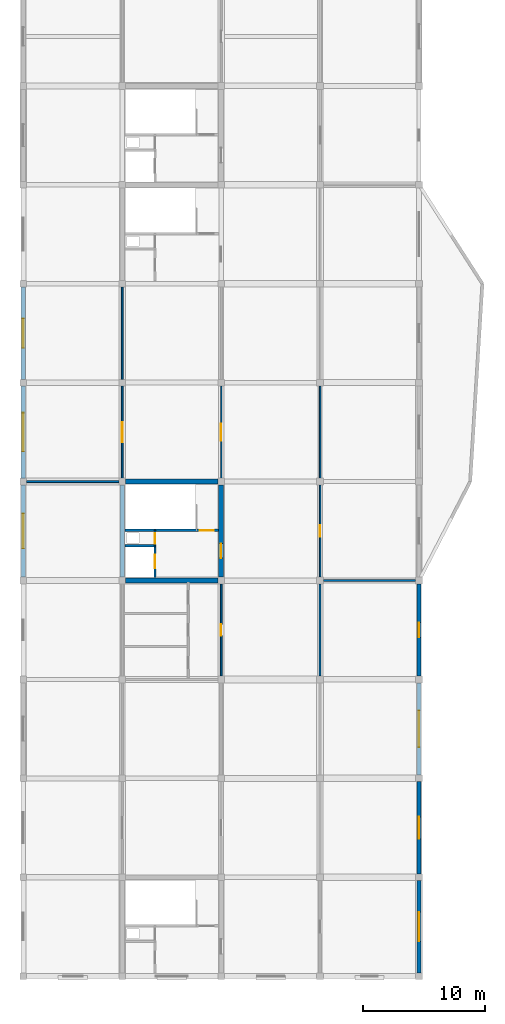
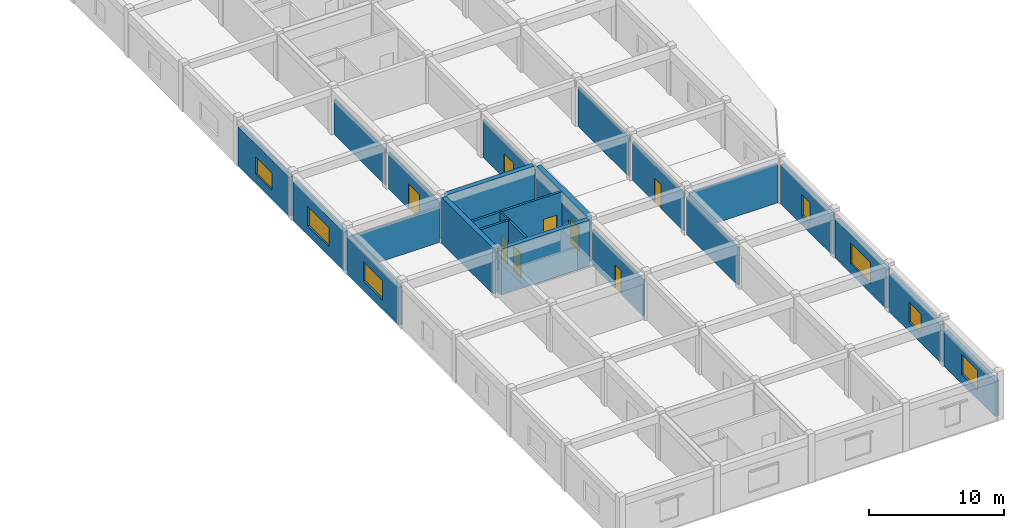
# One storey, part 4 of 7: 24 walls, 8 doors, 7 windows, 15 openings.
"""IFC4 building model written with IfcOpenShell, lengths in metres."""

import ifcopenshell
import ifcopenshell.guid

model = None  # the IFC model being written
_history = None  # IfcOwnerHistory: only IFC2X3 demands one
_inside = {}  # id of a spatial element -> (the spatial element, [elements in it])
_under = {}  # id of a project, library or spatial element -> (it, [spatial elements below it])
_declared = {}  # id of a project -> (the project, [libraries it declares])
_typed = {}  # id of a type object -> (the type object, [elements of that type])
_made_of = {}  # id of a material, layer set ... -> (it, [elements and type objects made of it])


def new_model(schema):
    """Start an empty IFC model of exactly this schema.

    Asked for "IFC4X3", IfcOpenShell would pick the latest addendum, in which some entities
    have other attributes; the version numbers below select the first issue.
    IFC2X3 requires an IfcOwnerHistory on every rooted entity: one is made here for all.
    """
    global model, _history
    if schema == "IFC4X3":
        model = ifcopenshell.file(schema_version=(4, 3, 0, 0))
    else:
        model = ifcopenshell.file(schema=schema)
    _inside.clear()
    _under.clear()
    _declared.clear()
    _typed.clear()
    _made_of.clear()
    _history = None
    if model.schema == "IFC2X3":
        org = make("IfcOrganization", Name="unknown")
        user = make(
            "IfcPersonAndOrganization",
            ThePerson=make("IfcPerson", FamilyName="unknown"),
            TheOrganization=org,
        )
        app = make(
            "IfcApplication",
            ApplicationDeveloper=org,
            Version="unknown",
            ApplicationFullName="unknown",
            ApplicationIdentifier="unknown",
        )
        _history = make(
            "IfcOwnerHistory",
            OwningUser=user,
            OwningApplication=app,
            ChangeAction="ADDED",
            CreationDate=0,
        )
    return model


def make(cls, **values):
    """One entity of the class cls with the attributes given. An attribute that is None is left unset."""
    return model.create_entity(
        cls, **{name: value for name, value in values.items() if value is not None}
    )


def rooted(cls, **values):
    """An entity with a GlobalId (a new one), such as an element, a storey or a relation."""
    return make(cls, GlobalId=ifcopenshell.guid.new(), OwnerHistory=_history, **values)


def si_unit(unit_type, name, prefix=None):
    """IfcSIUnit, for example si_unit("LENGTHUNIT", "METRE", prefix="MILLI")."""
    return make("IfcSIUnit", UnitType=unit_type, Prefix=prefix, Name=name)


def assignment(units):
    """IfcUnitAssignment: the units of a project."""
    return None if units is None else make("IfcUnitAssignment", Units=units)


def point(xyz):
    """IfcCartesianPoint."""
    return None if xyz is None else make("IfcCartesianPoint", Coordinates=xyz)


def direction(xyz):
    """IfcDirection."""
    return None if xyz is None else make("IfcDirection", DirectionRatios=xyz)


def frame(location, z_axis=None, x_axis=None):
    """IfcAxis2Placement3D, a coordinate frame: its origin and axes. An axis left out is left unset."""
    return make(
        "IfcAxis2Placement3D",
        Location=point(location),
        Axis=direction(z_axis),
        RefDirection=direction(x_axis),
    )


def frame_2d(location, x_axis=None):
    """IfcAxis2Placement2D, a coordinate frame in the plane: its origin and x axis."""
    return make(
        "IfcAxis2Placement2D", Location=point(location), RefDirection=direction(x_axis)
    )


def origin():
    """The frame at (0, 0, 0) with its axes left unset."""
    return frame((0.0, 0.0, 0.0))


def place(relative_to, where):
    """IfcLocalPlacement: puts the frame where relative to a parent placement (None: the world)."""
    return make(
        "IfcLocalPlacement", PlacementRelTo=relative_to, RelativePlacement=where
    )


def context(
    kind, dimensions, precision=None, world=None, true_north=None, identifier=None
):
    """IfcGeometricRepresentationContext, for example the 3D "Model" context."""
    return make(
        "IfcGeometricRepresentationContext",
        ContextIdentifier=identifier,
        ContextType=kind,
        CoordinateSpaceDimension=dimensions,
        Precision=precision,
        WorldCoordinateSystem=world,
        TrueNorth=true_north,
    )


def subcontext(parent, identifier, kind, view, scale=None):
    """IfcGeometricRepresentationSubContext, for example "Body" below "Model"."""
    return make(
        "IfcGeometricRepresentationSubContext",
        ContextIdentifier=identifier,
        ContextType=kind,
        ParentContext=parent,
        TargetScale=scale,
        TargetView=view,
    )


def project(units=None, contexts=None):
    """IfcProject with its units and contexts."""
    return rooted(
        "IfcProject",
        Name="project",
        RepresentationContexts=contexts,
        UnitsInContext=assignment(units),
    )


def spatial(cls, under=None, at=None, **own):
    """A site, building, storey or space (cls), placed at a placement, below another one or the project."""
    s = rooted(cls, ObjectPlacement=at, **own)
    if under is not None:
        _under.setdefault(under.id(), (under, []))[1].append(s)
    return s


def profile(cls, at=None, kind="AREA", **sizes):
    """A parametric profile (cls). Its sizes go by their IFC names, for example OverallWidth=200.0."""
    return make(cls, ProfileType=kind, Position=at, **sizes)


def rectangle(**sizes):
    """IfcRectangleProfileDef."""
    return profile("IfcRectangleProfileDef", **sizes)


def extrude(swept, where, along, depth):
    """IfcExtrudedAreaSolid: the profile swept, set in the frame where, extruded along a direction by depth."""
    return make(
        "IfcExtrudedAreaSolid",
        SweptArea=swept,
        Position=where,
        ExtrudedDirection=direction(along),
        Depth=depth,
    )


def shape(context_of_items, identifier, shape_type, items):
    """IfcShapeRepresentation: the items that make up one representation, for example the "Body"."""
    return make(
        "IfcShapeRepresentation",
        ContextOfItems=context_of_items,
        RepresentationIdentifier=identifier,
        RepresentationType=shape_type,
        Items=items,
    )


def material(Name=None, Category=None):
    """IfcMaterial."""
    return make("IfcMaterial", Name=Name, Category=Category)


def layer(
    of_material, thickness, ventilated=None, Name=None, Category=None, Priority=None
):
    """IfcMaterialLayer: one layer of a wall or slab, of a material (None: an air gap)."""
    return make(
        "IfcMaterialLayer",
        Material=of_material,
        LayerThickness=thickness,
        IsVentilated=ventilated,
        Name=Name,
        Category=Category,
        Priority=Priority,
    )


def layer_set(layers, Name=None):
    """IfcMaterialLayerSet."""
    return make("IfcMaterialLayerSet", MaterialLayers=layers, LayerSetName=Name)


def made_of(thing, what):
    """Note that an element or type object is made of a material, layer set ...; save() writes the relation."""
    if what is not None:
        _made_of.setdefault(what.id(), (what, []))[1].append(thing)
    return thing


def type_object(cls, material=None, **own):
    """A type object (cls), such as IfcWallType, which elements share."""
    return made_of(rooted(cls, **own), material)


def element(
    cls,
    number,
    at=None,
    inside=None,
    cuts=None,
    type_object=None,
    material=None,
    context=None,
    identifier="Body",
    shape_type=None,
    held_by="IfcProductDefinitionShape",
    body=None,
    shapes=None,
    **own,
):
    """One element of the class cls, such as IfcWall. Its Tag is "e" and its number.

    at: its placement. inside: the storey or other place that contains it. cuts: it is an
    opening in that element (IfcRelVoidsElement). A single representation is given by context,
    identifier, shape_type and body (its items); several are given by shapes. held_by: the class
    of the entity that holds the representations. save() writes the other relations.
    """
    e = rooted(cls, Tag="e%d" % number, ObjectPlacement=at, **own)
    if body is not None:
        shapes = [shape(context, identifier, shape_type, body)]
    if shapes is not None:
        e.Representation = make(held_by, Representations=shapes)
    if inside is not None:
        _inside.setdefault(inside.id(), (inside, []))[1].append(e)
    if cuts is not None:
        rooted(
            "IfcRelVoidsElement", RelatingBuildingElement=cuts, RelatedOpeningElement=e
        )
    if type_object is not None:
        _typed.setdefault(type_object.id(), (type_object, []))[1].append(e)
    return made_of(e, material)


def fill(opening, filler):
    """IfcRelFillsElement: the door or window that sits in an opening."""
    return rooted(
        "IfcRelFillsElement",
        RelatingOpeningElement=opening,
        RelatedBuildingElement=filler,
    )


def aggregate(whole, parts):
    """IfcRelAggregates: a whole, such as a stair, and the parts it consists of."""
    return rooted("IfcRelAggregates", RelatingObject=whole, RelatedObjects=parts)


def save(model, path):
    """Write the relations noted so far, then the file.

    IfcRelAggregates (storeys below a building ...), IfcRelContainedInSpatialStructure (elements
    in a storey), IfcRelDefinesByType, IfcRelAssociatesMaterial and IfcRelDeclares: one each for
    every whole, place, type object, material and project.
    """
    for whole, parts in _under.values():
        aggregate(whole, parts)
    for where, things in _inside.values():
        rooted(
            "IfcRelContainedInSpatialStructure",
            RelatedElements=things,
            RelatingStructure=where,
        )
    for kind, things in _typed.values():
        rooted("IfcRelDefinesByType", RelatedObjects=things, RelatingType=kind)
    for what, things in _made_of.values():
        rooted("IfcRelAssociatesMaterial", RelatedObjects=things, RelatingMaterial=what)
    for by, libraries in _declared.values():
        rooted("IfcRelDeclares", RelatingContext=by, RelatedDefinitions=libraries)
    model.write(path)


model = new_model("IFC4")

# Units and contexts
model_context = context("Model", 3, precision=1e-05, world=origin(), true_north=direction((0.0, 1.0)))
body_context = subcontext(model_context, "Body", "Model", "MODEL_VIEW")
ifc_project = project(units=[si_unit("LENGTHUNIT", "METRE"), si_unit("AREAUNIT", "SQUARE_METRE"), si_unit("VOLUMEUNIT", "CUBIC_METRE"), si_unit("PLANEANGLEUNIT", "RADIAN"), si_unit("MASSUNIT", "GRAM", prefix="KILO")], contexts=[model_context])

# Site, building, storey
site_placement = place(None, origin())
site = spatial("IfcSite", under=ifc_project, at=site_placement, CompositionType="ELEMENT")
building_placement = place(site_placement, origin())
building = spatial("IfcBuilding", under=site, at=building_placement, Name="Vaudrelin Polytechnic", CompositionType="ELEMENT")
storey_placement = place(building_placement, frame((0.0, 0.0, 31.7900390625)))
storey = spatial("IfcBuildingStorey", under=building, at=storey_placement, Name="L07", CompositionType="ELEMENT", Elevation=31.7900390625)

# Wall, opening, window
ifc_material_1 = material(Name="Precast concrete 35 MPa with terracotta baguette screen", Category="masonry")
ifc_layer_1 = layer(ifc_material_1, 0.35009765625)
ifc_layer_set_1 = layer_set([ifc_layer_1], Name="Precast concrete 35 MPa with terracotta baguette screen")
wall_type_1 = type_object("IfcWallType", Name="WAL-EW-TERR350", PredefinedType="STANDARD", material=ifc_layer_set_1)
wall_1_placement = place(storey_placement, frame((170.10009765625, 32.673095703125, 0.0), z_axis=(0.0, 0.0, 1.0), x_axis=(0.0, 1.0, 0.0)))
wall_1 = element("IfcWall", 1, at=wall_1_placement, inside=storey, type_object=wall_type_1, Name="Exterior wall L07 E_V4_00", PredefinedType="STANDARD", context=body_context, shape_type="SweptSolid", body=[
    extrude(rectangle(XDim=7.553955078125, YDim=0.35009765625, at=frame_2d((3.77685546875, 0.0))), origin(), (0.0, 0.0, 1.0), 3.2119140625),
])
opening_1_placement = place(wall_1_placement, frame((2.576904296875, 0.0, 0.85009765625)))
opening_1 = element("IfcOpeningElement", 2, at=opening_1_placement, cuts=wall_1, Name="Opening W-L07-E-V4-01", PredefinedType="OPENING", context=body_context, shape_type="SweptSolid", body=[
    extrude(rectangle(XDim=2.39990234375, YDim=1.800048828125, at=frame_2d((1.199951171875, 0.89990234375))), frame((0.0, 0.18505859375, 0.0), z_axis=(0.0, -1.0, 0.0), x_axis=(1.0, 0.0, 0.0)), (0.0, 0.0, 1.0), 0.3701171875),
])
ifc_material_2 = material(Name="Thermally broken aluminium frame with triple low-e glazing", Category="aluminium")
window_type_1 = type_object("IfcWindowType", Name="WIN-WN-01", PartitioningType="SINGLE_PANEL", PredefinedType="WINDOW", material=ifc_material_2)
window_1_placement = place(opening_1_placement, origin())
window_1 = element("IfcWindow", 3, at=window_1_placement, inside=storey, type_object=window_type_1, Name="Facade window L07-E_V4_00", OverallHeight=1.800048828125, OverallWidth=2.39990234375, PartitioningType="SINGLE_PANEL", PredefinedType="WINDOW", context=body_context, shape_type="SweptSolid", body=[
    extrude(rectangle(XDim=2.39990234375, YDim=1.800048828125, at=frame_2d((1.199951171875, 0.89990234375))), frame((0.0, 0.030029296875, 0.0), z_axis=(0.0, -1.0, 0.0), x_axis=(1.0, 0.0, 0.0)), (0.0, 0.0, 1.0), 0.06005859375),
])
fill(opening_1, window_1)

wall_2_placement = place(storey_placement, frame((170.10009765625, 40.77294921875, 0.0), z_axis=(0.0, 0.0, 1.0), x_axis=(0.0, 1.0, 0.0)))
wall_2 = element("IfcWall", 4, at=wall_2_placement, inside=storey, type_object=wall_type_1, Name="Exterior wall L07 E_V4_01", PredefinedType="STANDARD", context=body_context, shape_type="SweptSolid", body=[
    extrude(rectangle(XDim=7.553955078125, YDim=0.35009765625, at=frame_2d((3.77685546875, 0.0))), origin(), (0.0, 0.0, 1.0), 3.411865234375),
])
opening_2_placement = place(wall_2_placement, frame((2.876953125, 0.0, 0.85009765625)))
opening_2 = element("IfcOpeningElement", 5, at=opening_2_placement, cuts=wall_2, Name="Opening W-L07-E-V4-02", PredefinedType="OPENING", context=body_context, shape_type="SweptSolid", body=[
    extrude(rectangle(XDim=1.800048828125, YDim=1.800048828125, at=frame_2d((0.89990234375, 0.89990234375))), frame((0.0, 0.18505859375, 0.0), z_axis=(0.0, -1.0, 0.0), x_axis=(1.0, 0.0, 0.0)), (0.0, 0.0, 1.0), 0.3701171875),
])
window_type_2 = type_object("IfcWindowType", Name="WIN-WN-02", PartitioningType="SINGLE_PANEL", PredefinedType="WINDOW", material=ifc_material_2)
window_2_placement = place(opening_2_placement, origin())
window_2 = element("IfcWindow", 6, at=window_2_placement, inside=storey, type_object=window_type_2, Name="Facade window L07-E_V4_01", OverallHeight=1.800048828125, OverallWidth=1.800048828125, PartitioningType="SINGLE_PANEL", PredefinedType="WINDOW", context=body_context, shape_type="SweptSolid", body=[
    extrude(rectangle(XDim=1.800048828125, YDim=1.800048828125, at=frame_2d((0.89990234375, 0.89990234375))), frame((0.0, 0.030029296875, 0.0), z_axis=(0.0, -1.0, 0.0), x_axis=(1.0, 0.0, 0.0)), (0.0, 0.0, 1.0), 0.06005859375),
])
fill(opening_2, window_2)

wall_3_placement = place(storey_placement, frame((170.10009765625, 48.873046875, 0.0), z_axis=(0.0, 0.0, 1.0), x_axis=(0.0, 1.0, 0.0)))
wall_3 = element("IfcWall", 7, at=wall_3_placement, inside=storey, type_object=wall_type_1, Name="Exterior wall L07 E_V4_02", PredefinedType="STANDARD", context=body_context, shape_type="SweptSolid", body=[
    extrude(rectangle(XDim=7.553955078125, YDim=0.35009765625, at=frame_2d((3.77685546875, 0.0))), origin(), (0.0, 0.0, 1.0), 3.511962890625),
])
opening_3_placement = place(wall_3_placement, frame((2.277099609375, 0.0, 0.85009765625)))
opening_3 = element("IfcOpeningElement", 8, at=opening_3_placement, cuts=wall_3, Name="Opening W-L07-E-V4-03", PredefinedType="OPENING", context=body_context, shape_type="SweptSolid", body=[
    extrude(rectangle(XDim=3.0, YDim=1.89990234375, at=frame_2d((1.5, 0.949951171875))), frame((0.0, 0.18505859375, 0.0), z_axis=(0.0, -1.0, 0.0), x_axis=(1.0, 0.0, 0.0)), (0.0, 0.0, 1.0), 0.3701171875),
])
window_type_3 = type_object("IfcWindowType", Name="WIN-WN-03", PartitioningType="SINGLE_PANEL", PredefinedType="WINDOW", material=ifc_material_2)
window_3_placement = place(opening_3_placement, origin())
window_3 = element("IfcWindow", 9, at=window_3_placement, inside=storey, type_object=window_type_3, Name="Facade window L07-E_V4_02", OverallHeight=1.89990234375, OverallWidth=3.0, PartitioningType="SINGLE_PANEL", PredefinedType="WINDOW", context=body_context, shape_type="SweptSolid", body=[
    extrude(rectangle(XDim=3.0, YDim=1.89990234375, at=frame_2d((1.5, 0.949951171875))), frame((0.0, 0.030029296875, 0.0), z_axis=(0.0, -1.0, 0.0), x_axis=(1.0, 0.0, 0.0)), (0.0, 0.0, 1.0), 0.06005859375),
])
fill(opening_3, window_3)

wall_4_placement = place(storey_placement, frame((170.10009765625, 56.972900390625, 0.0), z_axis=(0.0, 0.0, 1.0), x_axis=(0.0, 1.0, 0.0)))
wall_4 = element("IfcWall", 10, at=wall_4_placement, inside=storey, type_object=wall_type_1, Name="Exterior wall L07 E_V4_03", PredefinedType="STANDARD", context=body_context, shape_type="SweptSolid", body=[
    extrude(rectangle(XDim=7.55419921875, YDim=0.35009765625, at=frame_2d((3.777099609375, 0.0))), origin(), (0.0, 0.0, 1.0), 3.511962890625),
])
opening_4_placement = place(wall_4_placement, frame((3.177001953125, 0.0, 0.85009765625)))
opening_4 = element("IfcOpeningElement", 11, at=opening_4_placement, cuts=wall_4, Name="Opening W-L07-E-V4-04", PredefinedType="OPENING", context=body_context, shape_type="SweptSolid", body=[
    extrude(rectangle(XDim=1.199951171875, YDim=1.89990234375, at=frame_2d((0.60009765625, 0.949951171875))), frame((0.0, 0.18505859375, 0.0), z_axis=(0.0, -1.0, 0.0), x_axis=(1.0, 0.0, 0.0)), (0.0, 0.0, 1.0), 0.3701171875),
])
window_type_4 = type_object("IfcWindowType", Name="WIN-WN-04", PartitioningType="SINGLE_PANEL", PredefinedType="WINDOW", material=ifc_material_2)
window_4_placement = place(opening_4_placement, origin())
window_4 = element("IfcWindow", 12, at=window_4_placement, inside=storey, type_object=window_type_4, Name="Facade window L07-E_V4_03", OverallHeight=1.89990234375, OverallWidth=1.199951171875, PartitioningType="SINGLE_PANEL", PredefinedType="WINDOW", context=body_context, shape_type="SweptSolid", body=[
    extrude(rectangle(XDim=1.199951171875, YDim=1.89990234375, at=frame_2d((0.60009765625, 0.949951171875))), frame((0.0, 0.030029296875, 0.0), z_axis=(0.0, -1.0, 0.0), x_axis=(1.0, 0.0, 0.0)), (0.0, 0.0, 1.0), 0.06005859375),
])
fill(opening_4, window_4)

wall_5_placement = place(storey_placement, frame((137.699951171875, 65.072998046875, 0.0), z_axis=(0.0, 0.0, 1.0), x_axis=(0.0, 1.0, 0.0)))
wall_5 = element("IfcWall", 13, at=wall_5_placement, inside=storey, type_object=wall_type_1, Name="Exterior wall L07 W_V4_04", PredefinedType="STANDARD", context=body_context, shape_type="SweptSolid", body=[
    extrude(rectangle(XDim=7.553955078125, YDim=0.35009765625, at=frame_2d((3.77685546875, 0.0))), origin(), (0.0, 0.0, 1.0), 3.411865234375),
])
opening_5_placement = place(wall_5_placement, frame((2.35205078125, 0.0, 0.85009765625)))
opening_5 = element("IfcOpeningElement", 14, at=opening_5_placement, cuts=wall_5, Name="Opening W-L07-W-V4-05", PredefinedType="OPENING", context=body_context, shape_type="SweptSolid", body=[
    extrude(rectangle(XDim=2.85009765625, YDim=1.75, at=frame_2d((1.425048828125, 0.875))), frame((0.0, 0.18505859375, 0.0), z_axis=(0.0, -1.0, 0.0), x_axis=(1.0, 0.0, 0.0)), (0.0, 0.0, 1.0), 0.3701171875),
])
window_type_5 = type_object("IfcWindowType", Name="WIN-WN-19", PartitioningType="SINGLE_PANEL", PredefinedType="WINDOW", material=ifc_material_2)
window_5_placement = place(opening_5_placement, origin())
window_5 = element("IfcWindow", 15, at=window_5_placement, inside=storey, type_object=window_type_5, Name="Facade window L07-W_V4_04", OverallHeight=1.75, OverallWidth=2.85009765625, PartitioningType="SINGLE_PANEL", PredefinedType="WINDOW", context=body_context, shape_type="SweptSolid", body=[
    extrude(rectangle(XDim=2.85009765625, YDim=1.75, at=frame_2d((1.425048828125, 0.875))), frame((0.0, 0.030029296875, 0.0), z_axis=(0.0, -1.0, 0.0), x_axis=(1.0, 0.0, 0.0)), (0.0, 0.0, 1.0), 0.06005859375),
])
fill(opening_5, window_5)

wall_6_placement = place(storey_placement, frame((137.699951171875, 73.173095703125, 0.0), z_axis=(0.0, 0.0, 1.0), x_axis=(0.0, 1.0, 0.0)))
wall_6 = element("IfcWall", 16, at=wall_6_placement, inside=storey, type_object=wall_type_1, Name="Exterior wall L07 W_V4_05", PredefinedType="STANDARD", context=body_context, shape_type="SweptSolid", body=[
    extrude(rectangle(XDim=7.553955078125, YDim=0.35009765625, at=frame_2d((3.77685546875, 0.0))), origin(), (0.0, 0.0, 1.0), 3.511962890625),
])
opening_6_placement = place(wall_6_placement, frame((2.201904296875, 0.0, 0.85009765625)))
opening_6 = element("IfcOpeningElement", 17, at=opening_6_placement, cuts=wall_6, Name="Opening W-L07-W-V4-06", PredefinedType="OPENING", context=body_context, shape_type="SweptSolid", body=[
    extrude(rectangle(XDim=3.14990234375, YDim=1.75, at=frame_2d((1.574951171875, 0.875))), frame((0.0, 0.18505859375, 0.0), z_axis=(0.0, -1.0, 0.0), x_axis=(1.0, 0.0, 0.0)), (0.0, 0.0, 1.0), 0.3701171875),
])
window_type_6 = type_object("IfcWindowType", Name="WIN-WN-20", PartitioningType="SINGLE_PANEL", PredefinedType="WINDOW", material=ifc_material_2)
window_6_placement = place(opening_6_placement, origin())
window_6 = element("IfcWindow", 18, at=window_6_placement, inside=storey, type_object=window_type_6, Name="Facade window L07-W_V4_05", OverallHeight=1.75, OverallWidth=3.14990234375, PartitioningType="SINGLE_PANEL", PredefinedType="WINDOW", context=body_context, shape_type="SweptSolid", body=[
    extrude(rectangle(XDim=3.14990234375, YDim=1.75, at=frame_2d((1.574951171875, 0.875))), frame((0.0, 0.030029296875, 0.0), z_axis=(0.0, -1.0, 0.0), x_axis=(1.0, 0.0, 0.0)), (0.0, 0.0, 1.0), 0.06005859375),
])
fill(opening_6, window_6)

wall_7_placement = place(storey_placement, frame((137.699951171875, 81.27294921875, 0.0), z_axis=(0.0, 0.0, 1.0), x_axis=(0.0, 1.0, 0.0)))
wall_7 = element("IfcWall", 19, at=wall_7_placement, inside=storey, type_object=wall_type_1, Name="Exterior wall L07 W_V4_06", PredefinedType="STANDARD", context=body_context, shape_type="SweptSolid", body=[
    extrude(rectangle(XDim=7.553955078125, YDim=0.35009765625, at=frame_2d((3.77685546875, 0.0))), origin(), (0.0, 0.0, 1.0), 3.56201171875),
])
opening_7_placement = place(wall_7_placement, frame((2.576904296875, 0.0, 0.85009765625)))
opening_7 = element("IfcOpeningElement", 20, at=opening_7_placement, cuts=wall_7, Name="Opening W-L07-W-V4-07", PredefinedType="OPENING", context=body_context, shape_type="SweptSolid", body=[
    extrude(rectangle(XDim=2.39990234375, YDim=1.550048828125, at=frame_2d((1.199951171875, 0.77490234375))), frame((0.0, 0.18505859375, 0.0), z_axis=(0.0, -1.0, 0.0), x_axis=(1.0, 0.0, 0.0)), (0.0, 0.0, 1.0), 0.3701171875),
])
window_type_7 = type_object("IfcWindowType", Name="WIN-WN-21", PartitioningType="SINGLE_PANEL", PredefinedType="WINDOW", material=ifc_material_2)
window_7_placement = place(opening_7_placement, origin())
window_7 = element("IfcWindow", 21, at=window_7_placement, inside=storey, type_object=window_type_7, Name="Facade window L07-W_V4_06", OverallHeight=1.550048828125, OverallWidth=2.39990234375, PartitioningType="SINGLE_PANEL", PredefinedType="WINDOW", context=body_context, shape_type="SweptSolid", body=[
    extrude(rectangle(XDim=2.39990234375, YDim=1.550048828125, at=frame_2d((1.199951171875, 0.77490234375))), frame((0.0, 0.030029296875, 0.0), z_axis=(0.0, -1.0, 0.0), x_axis=(1.0, 0.0, 0.0)), (0.0, 0.0, 1.0), 0.06005859375),
])
fill(opening_7, window_7)

# Walls
ifc_material_3 = material(Name="Acoustic double-stud gypsum & mineral-wool partition", Category="gypsum")
ifc_layer_2 = layer(ifc_material_3, 0.179931640625)
ifc_layer_set_2 = layer_set([ifc_layer_2], Name="Acoustic double-stud gypsum & mineral-wool partition")
wall_type_2 = type_object("IfcWallType", Name="WAL-PW-AC180", PredefinedType="PARTITIONING", material=ifc_layer_set_2)
wall_8_placement = place(storey_placement, frame((162.0, 56.972900390625, 0.0), z_axis=(0.0, 0.0, 1.0), x_axis=(0.0, 1.0, 0.0)))
element("IfcWall", 22, at=wall_8_placement, inside=storey, type_object=wall_type_2, Name="Partition L07-007 W", PredefinedType="PARTITIONING", context=body_context, shape_type="SweptSolid", body=[
    extrude(rectangle(XDim=7.55419921875, YDim=0.179931640625, at=frame_2d((3.777099609375, 0.0))), origin(), (0.0, 0.0, 1.0), 3.411865234375),
])
wall_9_placement = place(storey_placement, frame((162.27294921875, 64.800048828125, 0.0), z_axis=(0.0, 0.0, 1.0), x_axis=(1.0, 0.0, 0.0)))
element("IfcWall", 23, at=wall_9_placement, inside=storey, type_object=wall_type_2, Name="Partition L07-007 N", PredefinedType="PARTITIONING", context=body_context, shape_type="SweptSolid", body=[
    extrude(rectangle(XDim=7.553955078125, YDim=0.179931640625, at=frame_2d((3.77685546875, 0.0))), origin(), (0.0, 0.0, 1.0), 3.511962890625),
])

# Wall, opening, door
ifc_material_4 = material(Name="Fire-rated steel-stud gypsum compartment wall", Category="steel")
ifc_layer_3 = layer(ifc_material_4, 0.14990234375)
ifc_layer_set_3 = layer_set([ifc_layer_3], Name="Fire-rated steel-stud gypsum compartment wall")
wall_type_3 = type_object("IfcWallType", Name="WAL-PW-FIRE60", PredefinedType="PARTITIONING", material=ifc_layer_set_3)
wall_10_placement = place(storey_placement, frame((148.47998046875, 67.64990234375, 0.0), z_axis=(0.0, 0.0, 1.0), x_axis=(0.0, 1.0, 0.0)))
wall_10 = element("IfcWall", 24, at=wall_10_placement, inside=storey, type_object=wall_type_3, Name="Core C7 riser enclosure wall L07", PredefinedType="PARTITIONING", context=body_context, shape_type="SweptSolid", body=[
    extrude(rectangle(XDim=1.260009765625, YDim=0.14990234375, at=frame_2d((0.6298828125, 0.0))), origin(), (0.0, 0.0, 1.0), 4.161865234375),
])
opening_8_placement = place(wall_10_placement, frame((0.139892578125, 0.0, 0.0)))
opening_8 = element("IfcOpeningElement", 25, at=opening_8_placement, cuts=wall_10, Name="Opening D-L07-137", PredefinedType="OPENING", context=body_context, shape_type="SweptSolid", body=[
    extrude(rectangle(XDim=0.89990234375, YDim=2.14990234375, at=frame_2d((0.449951171875, 1.074951171875))), frame((0.0, 0.0849609375, 0.0), z_axis=(0.0, -1.0, 0.0), x_axis=(1.0, 0.0, 0.0)), (0.0, 0.0, 1.0), 0.169921875),
])
ifc_material_5 = material(Name="Pressed galvanised steel acoustic leaf", Category="steel")
door_type_1 = type_object("IfcDoorType", Name="DOR-ID-RSR1", OperationType="NOTDEFINED", PredefinedType="DOOR", material=ifc_material_5)
door_1_placement = place(opening_8_placement, origin())
door_1 = element("IfcDoor", 26, at=door_1_placement, inside=storey, type_object=door_type_1, Name="Core C7 riser access door L07", OperationType="SINGLE_SWING_RIGHT", OverallHeight=2.14990234375, OverallWidth=0.89990234375, PredefinedType="DOOR", context=body_context, shape_type="SweptSolid", body=[
    extrude(rectangle(XDim=0.89990234375, YDim=2.14990234375, at=frame_2d((0.449951171875, 1.074951171875))), frame((0.0, 0.02490234375, 0.0), z_axis=(0.0, -1.0, 0.0), x_axis=(1.0, 0.0, 0.0)), (0.0, 0.0, 1.0), 0.050048828125),
])
fill(opening_8, door_1)

# Wall
ifc_material_6 = material(Name="Moisture- and chemical-resistant laboratory partition", Category="gypsum")
ifc_layer_4 = layer(ifc_material_6, 0.159912109375)
ifc_layer_set_4 = layer_set([ifc_layer_4], Name="Moisture- and chemical-resistant laboratory partition")
wall_type_4 = type_object("IfcWallType", Name="WAL-PW-LAB160", PredefinedType="PARTITIONING", material=ifc_layer_set_4)
wall_11_placement = place(storey_placement, frame((137.972900390625, 72.89990234375, 0.0), z_axis=(0.0, 0.0, 1.0), x_axis=(1.0, 0.0, 0.0)))
element("IfcWall", 27, at=wall_11_placement, inside=storey, type_object=wall_type_4, Name="Partition L07-001 N", PredefinedType="PARTITIONING", context=body_context, shape_type="SweptSolid", body=[
    extrude(rectangle(XDim=7.55419921875, YDim=0.159912109375, at=frame_2d((3.777099609375, 0.0))), origin(), (0.0, 0.0, 1.0), 3.2119140625),
])

# Wall, opening, door
ifc_material_7 = material(Name="Acoustic steel-stud office & study room partition", Category="steel")
ifc_layer_5 = layer(ifc_material_7, 0.135009765625)
ifc_layer_set_5 = layer_set([ifc_layer_5], Name="Acoustic steel-stud office & study room partition")
wall_type_5 = type_object("IfcWallType", Name="WAL-PW-OFF135", PredefinedType="PARTITIONING", material=ifc_layer_set_5)
wall_12_placement = place(storey_placement, frame((162.0, 65.072998046875, 0.0), z_axis=(0.0, 0.0, 1.0), x_axis=(0.0, 1.0, 0.0)))
wall_12 = element("IfcWall", 28, at=wall_12_placement, inside=storey, type_object=wall_type_5, Name="Partition L07-008 W", PredefinedType="PARTITIONING", context=body_context, shape_type="SweptSolid", body=[
    extrude(rectangle(XDim=7.553955078125, YDim=0.135009765625, at=frame_2d((3.77685546875, 0.0))), origin(), (0.0, 0.0, 1.0), 3.511962890625),
])
opening_9_placement = place(wall_12_placement, frame((3.302001953125, 0.0, 0.0)))
opening_9 = element("IfcOpeningElement", 29, at=opening_9_placement, cuts=wall_12, Name="Opening D-L07-575", PredefinedType="OPENING", context=body_context, shape_type="SweptSolid", body=[
    extrude(rectangle(XDim=0.949951171875, YDim=2.14990234375, at=frame_2d((0.47509765625, 1.074951171875))), frame((0.0, 0.07763671875, 0.0), z_axis=(0.0, -1.0, 0.0), x_axis=(1.0, 0.0, 0.0)), (0.0, 0.0, 1.0), 0.155029296875),
])
ifc_material_8 = material(Name="Solid-core birch veneer acoustic leaf", Category="wood")
door_type_2 = type_object("IfcDoorType", Name="DOR-ID-OFF1", OperationType="NOTDEFINED", PredefinedType="DOOR", material=ifc_material_8)
door_2_placement = place(opening_9_placement, origin())
door_2 = element("IfcDoor", 30, at=door_2_placement, inside=storey, type_object=door_type_2, Name="Polytechnic Deans and Departmental Administration door L07-008", OperationType="SINGLE_SWING_RIGHT", OverallHeight=2.14990234375, OverallWidth=0.949951171875, PredefinedType="DOOR", context=body_context, shape_type="SweptSolid", body=[
    extrude(rectangle(XDim=0.949951171875, YDim=2.14990234375, at=frame_2d((0.47509765625, 1.074951171875))), frame((0.0, 0.02490234375, 0.0), z_axis=(0.0, -1.0, 0.0), x_axis=(1.0, 0.0, 0.0)), (0.0, 0.0, 1.0), 0.050048828125),
])
fill(opening_9, door_2)

# Wall
wall_13_placement = place(storey_placement, frame((162.0, 73.173095703125, 0.0), z_axis=(0.0, 0.0, 1.0), x_axis=(0.0, 1.0, 0.0)))
element("IfcWall", 31, at=wall_13_placement, inside=storey, type_object=wall_type_5, Name="Partition L07-008 W", PredefinedType="PARTITIONING", context=body_context, shape_type="SweptSolid", body=[
    extrude(rectangle(XDim=7.553955078125, YDim=0.135009765625, at=frame_2d((3.77685546875, 0.0))), origin(), (0.0, 0.0, 1.0), 3.56201171875),
])

# Wall, opening, door
ifc_material_9 = material(Name="Pin-up plywood & acoustic gypsum studio partition", Category="wood")
ifc_layer_6 = layer(ifc_material_9, 0.14990234375)
ifc_layer_set_6 = layer_set([ifc_layer_6], Name="Pin-up plywood & acoustic gypsum studio partition")
wall_type_6 = type_object("IfcWallType", Name="WAL-PW-STU150", PredefinedType="PARTITIONING", material=ifc_layer_set_6)
wall_14_placement = place(storey_placement, frame((145.800048828125, 73.173095703125, 0.0), z_axis=(0.0, 0.0, 1.0), x_axis=(0.0, 1.0, 0.0)))
wall_14 = element("IfcWall", 32, at=wall_14_placement, inside=storey, type_object=wall_type_6, Name="Partition L07-003 E", PredefinedType="PARTITIONING", context=body_context, shape_type="SweptSolid", body=[
    extrude(rectangle(XDim=7.553955078125, YDim=0.14990234375, at=frame_2d((3.77685546875, 0.0))), origin(), (0.0, 0.0, 1.0), 3.31201171875),
])
opening_10_placement = place(wall_14_placement, frame((2.95703125, 0.0, 0.0)))
opening_10 = element("IfcOpeningElement", 33, at=opening_10_placement, cuts=wall_14, Name="Opening D-L07-571", PredefinedType="OPENING", context=body_context, shape_type="SweptSolid", body=[
    extrude(rectangle(XDim=1.639892578125, YDim=2.25, at=frame_2d((0.81982421875, 1.125))), frame((0.0, 0.0849609375, 0.0), z_axis=(0.0, -1.0, 0.0), x_axis=(1.0, 0.0, 0.0)), (0.0, 0.0, 1.0), 0.169921875),
])
door_type_3 = type_object("IfcDoorType", Name="DOR-ID-STU2", OperationType="NOTDEFINED", PredefinedType="DOOR", material=ifc_material_8)
door_3_placement = place(opening_10_placement, origin())
door_3 = element("IfcDoor", 34, at=door_3_placement, inside=storey, type_object=door_type_3, Name="Human-Factors Simulation Design Studio door L07-003", OperationType="DOUBLE_SWING_LEFT", OverallHeight=2.25, OverallWidth=1.639892578125, PredefinedType="DOOR", context=body_context, shape_type="SweptSolid", body=[
    extrude(rectangle(XDim=1.639892578125, YDim=2.25, at=frame_2d((0.81982421875, 1.125))), frame((0.0, 0.02490234375, 0.0), z_axis=(0.0, -1.0, 0.0), x_axis=(1.0, 0.0, 0.0)), (0.0, 0.0, 1.0), 0.050048828125),
])
fill(opening_10, door_3)

# Wall
wall_15_placement = place(storey_placement, frame((145.800048828125, 81.27294921875, 0.0), z_axis=(0.0, 0.0, 1.0), x_axis=(0.0, 1.0, 0.0)))
element("IfcWall", 35, at=wall_15_placement, inside=storey, type_object=wall_type_6, Name="Partition L07-003 E", PredefinedType="PARTITIONING", context=body_context, shape_type="SweptSolid", body=[
    extrude(rectangle(XDim=7.553955078125, YDim=0.14990234375, at=frame_2d((3.77685546875, 0.0))), origin(), (0.0, 0.0, 1.0), 3.2119140625),
])

# Wall, opening, door
wall_16_placement = place(storey_placement, frame((153.89990234375, 73.173095703125, 0.0), z_axis=(0.0, 0.0, 1.0), x_axis=(0.0, 1.0, 0.0)))
wall_16 = element("IfcWall", 36, at=wall_16_placement, inside=storey, type_object=wall_type_6, Name="Partition L07-004 E", PredefinedType="PARTITIONING", context=body_context, shape_type="SweptSolid", body=[
    extrude(rectangle(XDim=7.553955078125, YDim=0.14990234375, at=frame_2d((3.77685546875, 0.0))), origin(), (0.0, 0.0, 1.0), 3.411865234375),
])
opening_11_placement = place(wall_16_placement, frame((3.076904296875, 0.0, 0.0)))
opening_11 = element("IfcOpeningElement", 37, at=opening_11_placement, cuts=wall_16, Name="Opening D-L07-572", PredefinedType="OPENING", context=body_context, shape_type="SweptSolid", body=[
    extrude(rectangle(XDim=1.39990234375, YDim=2.199951171875, at=frame_2d((0.699951171875, 1.10009765625))), frame((0.0, 0.0849609375, 0.0), z_axis=(0.0, -1.0, 0.0), x_axis=(1.0, 0.0, 0.0)), (0.0, 0.0, 1.0), 0.169921875),
])
door_type_4 = type_object("IfcDoorType", Name="DOR-ID-STU1", OperationType="NOTDEFINED", PredefinedType="DOOR", material=ifc_material_8)
door_4_placement = place(opening_11_placement, origin())
door_4 = element("IfcDoor", 38, at=door_4_placement, inside=storey, type_object=door_type_4, Name="Ergonomics Instrumentation Studio door L07-004", OperationType="DOUBLE_SWING_LEFT", OverallHeight=2.199951171875, OverallWidth=1.39990234375, PredefinedType="DOOR", context=body_context, shape_type="SweptSolid", body=[
    extrude(rectangle(XDim=1.39990234375, YDim=2.199951171875, at=frame_2d((0.699951171875, 1.10009765625))), frame((0.0, 0.02490234375, 0.0), z_axis=(0.0, -1.0, 0.0), x_axis=(1.0, 0.0, 0.0)), (0.0, 0.0, 1.0), 0.050048828125),
])
fill(opening_11, door_4)

ifc_material_10 = material(Name="Cement-board tiled wet-wall washroom partition", Category="gypsum")
ifc_layer_7 = layer(ifc_material_10, 0.139892578125)
ifc_layer_set_7 = layer_set([ifc_layer_7], Name="Cement-board tiled wet-wall washroom partition")
wall_type_7 = type_object("IfcWallType", Name="WAL-PW-WC140", PredefinedType="PARTITIONING", material=ifc_layer_set_7)
wall_17_placement = place(storey_placement, frame((153.89990234375, 56.972900390625, 0.0), z_axis=(0.0, 0.0, 1.0), x_axis=(0.0, 1.0, 0.0)))
wall_17 = element("IfcWall", 39, at=wall_17_placement, inside=storey, type_object=wall_type_7, Name="Washroom enclosure wall L07-18-7-E", PredefinedType="PARTITIONING", context=body_context, shape_type="SweptSolid", body=[
    extrude(rectangle(XDim=7.55419921875, YDim=0.139892578125, at=frame_2d((3.777099609375, 0.0))), origin(), (0.0, 0.0, 1.0), 3.31005859375),
])
opening_12_placement = place(wall_17_placement, frame((3.31689453125, 0.0, 0.0)))
opening_12 = element("IfcOpeningElement", 40, at=opening_12_placement, cuts=wall_17, Name="Opening D-L07-389", PredefinedType="OPENING", context=body_context, shape_type="SweptSolid", body=[
    extrude(rectangle(XDim=0.919921875, YDim=2.14990234375, at=frame_2d((0.4599609375, 1.074951171875))), frame((0.0, 0.080078125, 0.0), z_axis=(0.0, -1.0, 0.0), x_axis=(1.0, 0.0, 0.0)), (0.0, 0.0, 1.0), 0.159912109375),
])
door_type_5 = type_object("IfcDoorType", Name="DOR-ID-WC1", OperationType="NOTDEFINED", PredefinedType="DOOR", material=ifc_material_8)
door_5_placement = place(opening_12_placement, origin())
door_5 = element("IfcDoor", 41, at=door_5_placement, inside=storey, type_object=door_type_5, Name="Washroom vestibule door L07-18-7-E", OperationType="SINGLE_SWING_LEFT", OverallHeight=2.14990234375, OverallWidth=0.919921875, PredefinedType="DOOR", context=body_context, shape_type="SweptSolid", body=[
    extrude(rectangle(XDim=0.919921875, YDim=2.14990234375, at=frame_2d((0.4599609375, 1.074951171875))), frame((0.0, 0.02490234375, 0.0), z_axis=(0.0, -1.0, 0.0), x_axis=(1.0, 0.0, 0.0)), (0.0, 0.0, 1.0), 0.050048828125),
])
fill(opening_12, door_5)

ifc_material_11 = material(Name="Concrete 40 MPa", Category="concrete")
ifc_layer_8 = layer(ifc_material_11, 0.199951171875)
ifc_layer_set_8 = layer_set([ifc_layer_8], Name="Concrete 40 MPa")
wall_type_8 = type_object("IfcWallType", Name="WAL-SW-CORE200", PredefinedType="SHEAR", material=ifc_layer_set_8)
wall_18_placement = place(storey_placement, frame((146.02001953125, 68.909912109375, 0.0), z_axis=(0.0, 0.0, 1.0), x_axis=(1.0, 0.0, 0.0)))
wall_18 = element("IfcWall", 42, at=wall_18_placement, inside=storey, type_object=wall_type_8, Name="Core C7 stair enclosure wall L07", PredefinedType="SHEAR", context=body_context, shape_type="SweptSolid", body=[
    extrude(rectangle(XDim=7.659912109375, YDim=0.199951171875, at=frame_2d((3.830078125, 0.0))), origin(), (0.0, 0.0, 1.0), 4.161865234375),
])
opening_13_placement = place(wall_18_placement, frame((6.110107421875, 0.0, 0.0)))
opening_13 = element("IfcOpeningElement", 43, at=opening_13_placement, cuts=wall_18, Name="Opening D-L07-136", PredefinedType="OPENING", context=body_context, shape_type="SweptSolid", body=[
    extrude(rectangle(XDim=1.14990234375, YDim=2.199951171875, at=frame_2d((0.574951171875, 1.10009765625))), frame((0.0, 0.10986328125, 0.0), z_axis=(0.0, -1.0, 0.0), x_axis=(1.0, 0.0, 0.0)), (0.0, 0.0, 1.0), 0.219970703125),
])
door_type_6 = type_object("IfcDoorType", Name="DOR-ID-ST1", OperationType="NOTDEFINED", PredefinedType="DOOR", material=ifc_material_5)
door_6_placement = place(opening_13_placement, origin())
door_6 = element("IfcDoor", 44, at=door_6_placement, inside=storey, type_object=door_type_6, Name="Core C7 exit stair door L07", OperationType="SINGLE_SWING_LEFT", OverallHeight=2.199951171875, OverallWidth=1.14990234375, PredefinedType="DOOR", context=body_context, shape_type="SweptSolid", body=[
    extrude(rectangle(XDim=1.14990234375, YDim=2.199951171875, at=frame_2d((0.574951171875, 1.10009765625))), frame((0.0, 0.02490234375, 0.0), z_axis=(0.0, -1.0, 0.0), x_axis=(1.0, 0.0, 0.0)), (0.0, 0.0, 1.0), 0.050048828125),
])
fill(opening_13, door_6)

wall_19_placement = place(storey_placement, frame((148.47998046875, 65.050048828125, 0.0), z_axis=(0.0, 0.0, 1.0), x_axis=(0.0, 1.0, 0.0)))
wall_19 = element("IfcWall", 45, at=wall_19_placement, inside=storey, type_object=wall_type_8, Name="Lift LF-07 shaft front wall L07", PredefinedType="SHEAR", context=body_context, shape_type="SweptSolid", body=[
    extrude(rectangle(XDim=2.599853515625, YDim=0.199951171875, at=frame_2d((1.2998046875, 0.0))), origin(), (0.0, 0.0, 1.0), 4.161865234375),
])
opening_14_placement = place(wall_19_placement, frame((0.75, 0.0, 0.0)))
opening_14 = element("IfcOpeningElement", 46, at=opening_14_placement, cuts=wall_19, Name="Opening LD-LF-07-L07", PredefinedType="OPENING", context=body_context, shape_type="SweptSolid", body=[
    extrude(rectangle(XDim=1.10009765625, YDim=2.199951171875, at=frame_2d((0.550048828125, 1.10009765625))), frame((0.0, 0.10986328125, 0.0), z_axis=(0.0, -1.0, 0.0), x_axis=(1.0, 0.0, 0.0)), (0.0, 0.0, 1.0), 0.219970703125),
])
ifc_material_12 = material(Name="Brushed stainless steel AISI 304", Category="steel")
door_type_7 = type_object("IfcDoorType", Name="DOR-LD-PAX", OperationType="SLIDING_TO_LEFT", PredefinedType="DOOR", material=ifc_material_12)
door_7_placement = place(opening_14_placement, origin())
door_7 = element("IfcDoor", 47, at=door_7_placement, inside=storey, type_object=door_type_7, Name="Lift LF-07 landing door L07", OperationType="SLIDING_TO_LEFT", OverallHeight=2.199951171875, OverallWidth=1.10009765625, PredefinedType="DOOR", context=body_context, shape_type="SweptSolid", body=[
    extrude(rectangle(XDim=1.10009765625, YDim=2.199951171875, at=frame_2d((0.550048828125, 1.10009765625))), frame((0.0, 0.02490234375, 0.0), z_axis=(0.0, -1.0, 0.0), x_axis=(1.0, 0.0, 0.0)), (0.0, 0.0, 1.0), 0.050048828125),
])
fill(opening_14, door_7)

# Walls
wall_20_placement = place(storey_placement, frame((146.02001953125, 67.64990234375, 0.0), z_axis=(0.0, 0.0, 1.0), x_axis=(1.0, 0.0, 0.0)))
element("IfcWall", 48, at=wall_20_placement, inside=storey, type_object=wall_type_8, Name="Lift LF-07 shaft north wall L07", PredefinedType="SHEAR", context=body_context, shape_type="SweptSolid", body=[
    extrude(rectangle(XDim=2.56005859375, YDim=0.199951171875, at=frame_2d((1.280029296875, 0.0))), origin(), (0.0, 0.0, 1.0), 4.161865234375),
])
ifc_material_13 = material(Name="Concrete 50 MPa", Category="concrete")
ifc_layer_9 = layer(ifc_material_13, 0.39990234375)
ifc_layer_set_9 = layer_set([ifc_layer_9], Name="Concrete 50 MPa")
wall_type_9 = type_object("IfcWallType", Name="WAL-SW-CORE400", PredefinedType="SHEAR", material=ifc_layer_set_9)
for number, where, z_axis, x_axis, name in (
    (49, (146.072998046875, 72.89990234375, 0.0), (0.0, 0.0, 1.0), (1.0, 0.0, 0.0), "Core C7 N shear wall L07"),
    (50, (145.800048828125, 65.072998046875, 0.0), (0.0, 0.0, 1.0), (0.0, 1.0, 0.0), "Core C7 W shear wall L07"),
):
    element("IfcWall", number, at=place(storey_placement, frame(where, z_axis=z_axis, x_axis=x_axis)), inside=storey, type_object=wall_type_9, Name=name, PredefinedType="SHEAR", context=body_context, shape_type="SweptSolid", body=[
        extrude(rectangle(XDim=7.553955078125, YDim=0.39990234375, at=frame_2d((3.77685546875, 0.0))), origin(), (0.0, 0.0, 1.0), 4.161865234375),
    ])

# Wall, opening, door
wall_21_placement = place(storey_placement, frame((153.89990234375, 65.072998046875, 0.0), z_axis=(0.0, 0.0, 1.0), x_axis=(0.0, 1.0, 0.0)))
wall_21 = element("IfcWall", 51, at=wall_21_placement, inside=storey, type_object=wall_type_9, Name="Core C7 E shear wall L07", PredefinedType="SHEAR", context=body_context, shape_type="SweptSolid", body=[
    extrude(rectangle(XDim=7.553955078125, YDim=0.39990234375, at=frame_2d((3.77685546875, 0.0))), origin(), (0.0, 0.0, 1.0), 4.161865234375),
])
opening_15_placement = place(wall_21_placement, frame((1.550048828125, 0.0, 0.0)))
opening_15 = element("IfcOpeningElement", 52, at=opening_15_placement, cuts=wall_21, Name="Opening D-L07-135", PredefinedType="OPENING", context=body_context, shape_type="SweptSolid", body=[
    extrude(rectangle(XDim=1.199951171875, YDim=2.199951171875, at=frame_2d((0.60009765625, 1.10009765625))), frame((0.0, 0.2099609375, 0.0), z_axis=(0.0, -1.0, 0.0), x_axis=(1.0, 0.0, 0.0)), (0.0, 0.0, 1.0), 0.419921875),
])
door_type_8 = type_object("IfcDoorType", Name="DOR-ID-LB1", OperationType="NOTDEFINED", PredefinedType="DOOR", material=ifc_material_5)
door_8_placement = place(opening_15_placement, origin())
door_8 = element("IfcDoor", 53, at=door_8_placement, inside=storey, type_object=door_type_8, Name="Core C7 lobby fire door L07", OperationType="SINGLE_SWING_RIGHT", OverallHeight=2.199951171875, OverallWidth=1.199951171875, PredefinedType="DOOR", context=body_context, shape_type="SweptSolid", body=[
    extrude(rectangle(XDim=1.199951171875, YDim=2.199951171875, at=frame_2d((0.60009765625, 1.10009765625))), frame((0.0, 0.02490234375, 0.0), z_axis=(0.0, -1.0, 0.0), x_axis=(1.0, 0.0, 0.0)), (0.0, 0.0, 1.0), 0.050048828125),
])
fill(opening_15, door_8)

# Wall
wall_22_placement = place(storey_placement, frame((146.072998046875, 64.800048828125, 0.0), z_axis=(0.0, 0.0, 1.0), x_axis=(1.0, 0.0, 0.0)))
element("IfcWall", 54, at=wall_22_placement, inside=storey, type_object=wall_type_9, Name="Core C7 S shear wall L07", PredefinedType="SHEAR", context=body_context, shape_type="SweptSolid", body=[
    extrude(rectangle(XDim=7.553955078125, YDim=0.39990234375, at=frame_2d((3.77685546875, 0.0))), origin(), (0.0, 0.0, 1.0), 4.161865234375),
])

save(model, "model.ifc")
